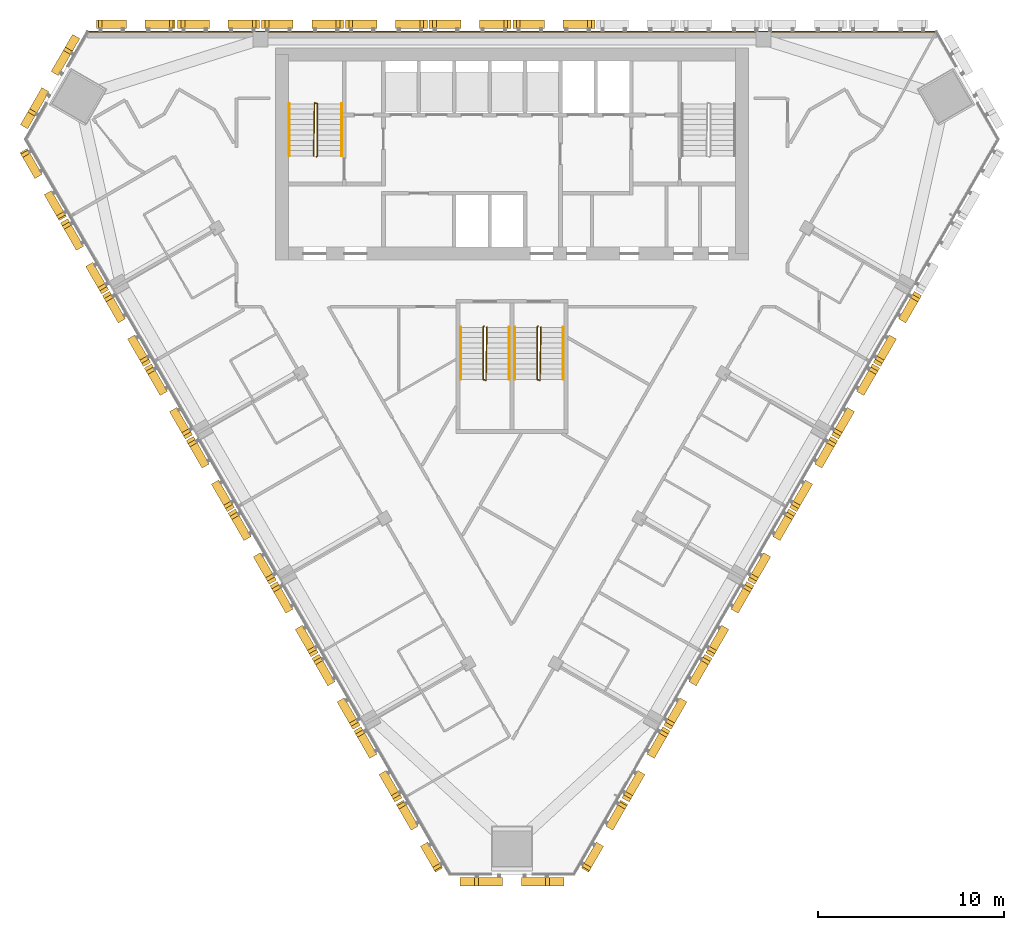
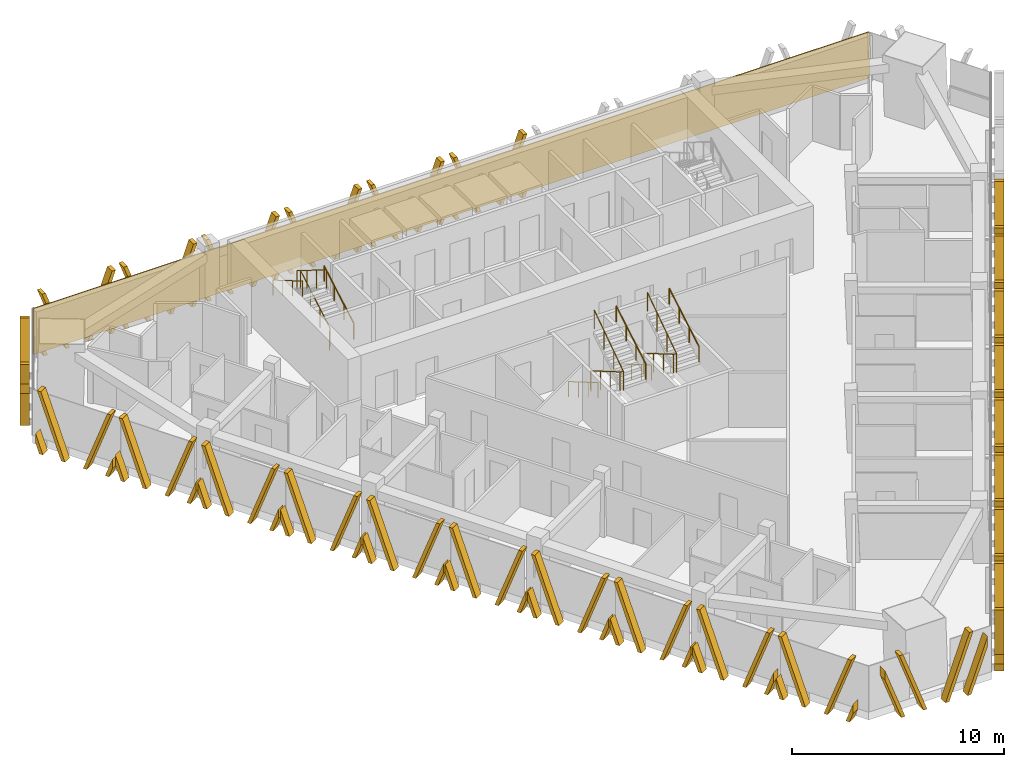
# One storey, part 14 of 16: 26 shading devices, 9 railings, 1 covering.
"""IFC4 building model written with IfcOpenShell, lengths in metres."""

from ifc_helpers import new_model, si_unit, direction, frame, frame_2d, origin, origin_2d, place, context, subcontext, project, spatial, polyline, rectangle, circle, outline, extrude, source, transform, mapped, material, layer, layer_set, type_object, element, save


model = new_model("IFC4")

# Units and contexts
model_context = context("Model", 3, precision=1e-05, world=origin(), true_north=direction((0.0, 1.0)))
body_context = subcontext(model_context, "Body", "Model", "MODEL_VIEW")
ifc_project = project(units=[si_unit("LENGTHUNIT", "METRE"), si_unit("AREAUNIT", "SQUARE_METRE"), si_unit("VOLUMEUNIT", "CUBIC_METRE"), si_unit("PLANEANGLEUNIT", "RADIAN"), si_unit("MASSUNIT", "GRAM", prefix="KILO")], contexts=[model_context])

# Site, building, storey
site_placement = place(None, origin())
site = spatial("IfcSite", under=ifc_project, at=site_placement, CompositionType="ELEMENT")
building_placement = place(site_placement, origin())
building = spatial("IfcBuilding", under=site, at=building_placement, Name="Altiplano Prism Tower", CompositionType="ELEMENT")
storey_placement = place(building_placement, frame((0.0, 0.0, 181.800048828125)))
storey = spatial("IfcBuildingStorey", under=building, at=storey_placement, Name="L47", CompositionType="ELEMENT", Elevation=181.800048828125)

# Railings
ifc_material_1 = material(Name="Steel S355", Category="steel")
railing_type_1 = type_object("IfcRailingType", Name="Stair guard 1100", PredefinedType="GUARDRAIL", material=ifc_material_1)
railing_1_placement = place(storey_placement, frame((74.5, 98.25, 0.0)))
element("IfcRailing", 1, at=railing_1_placement, inside=storey, type_object=railing_type_1, Name="L47 ST1 stair guard 1", PredefinedType="GUARDRAIL", context=body_context, shape_type="SweptSolid", body=[
    extrude(circle(Radius=0.02392578125, at=origin_2d()), frame((0.0, 0.0, 1.076171875), z_axis=(0.280808744504, 0.280808744504, 0.917765164963), x_axis=(-0.707106781187, 0.707106781187, 0.0)), (0.0, 0.0, 1.0), 0.17822265625),
    extrude(circle(Radius=0.02392578125, at=origin_2d()), frame((0.050048828125, 0.050048828125, 1.23974609375), z_axis=(0.0, 0.863360870873, 0.504586966384), x_axis=(-1.0, 0.0, 0.0)), (0.0, 0.0, 1.0), 3.2431640625),
    extrude(circle(Radius=0.02392578125, at=origin_2d()), frame((0.050048828125, 2.85009765625, 2.8759765625), z_axis=(-0.949145278916, 0.314838433982, 0.0), x_axis=(-0.314838433982, -0.949145278916, 0.0)), (0.0, 0.0, 1.0), 0.158203125),
    extrude(circle(Radius=0.02392578125, at=origin_2d()), frame((-0.10009765625, 2.89990234375, 2.8759765625), z_axis=(-0.014774583964, -0.845410385345, 0.533912906773), x_axis=(0.999847325713, -0.01747355902, 0.0)), (0.0, 0.0, 1.0), 3.370849609375),
    extrude(circle(Radius=0.02099609375, at=origin_2d()), origin(), (0.0, 0.0, 1.0), 1.052001953125),
    extrude(circle(Radius=0.02099609375, at=origin_2d()), frame((0.050048828125, 0.050048828125, 0.16357421875)), (0.0, 0.0, 1.0), 1.052001953125),
    extrude(circle(Radius=0.02099609375, at=origin_2d()), frame((0.050048828125, 0.9833984375, 0.708984375)), (0.0, 0.0, 1.0), 1.052001953125),
    extrude(circle(Radius=0.02099609375, at=origin_2d()), frame((0.050048828125, 1.916748046875, 1.254638671875)), (0.0, 0.0, 1.0), 1.052001953125),
    extrude(circle(Radius=0.02099609375, at=origin_2d()), frame((0.050048828125, 2.85009765625, 1.800048828125)), (0.0, 0.0, 1.0), 1.052001953125),
    extrude(circle(Radius=0.02099609375, at=origin_2d()), frame((-0.10009765625, 2.89990234375, 1.800048828125)), (0.0, 0.0, 1.0), 1.052001953125),
    extrude(circle(Radius=0.02099609375, at=origin_2d()), frame((-0.11669921875, 1.949951171875, 2.39990234375)), (0.0, 0.0, 1.0), 1.052001953125),
    extrude(circle(Radius=0.02099609375, at=origin_2d()), frame((-0.13330078125, 1.0, 3.0)), (0.0, 0.0, 1.0), 1.052001953125),
    extrude(circle(Radius=0.02099609375, at=origin_2d()), frame((-0.14990234375, 0.050048828125, 3.599853515625)), (0.0, 0.0, 1.0), 1.052001953125),
])
railing_2_placement = place(storey_placement, frame((83.5, 89.14990234375, 0.0)))
element("IfcRailing", 2, at=railing_2_placement, inside=storey, type_object=railing_type_1, Name="L47 ST3A stair guard 1", PredefinedType="GUARDRAIL", context=body_context, shape_type="SweptSolid", body=[
    extrude(circle(Radius=0.02392578125, at=origin_2d()), frame((0.0, 0.0, 1.076171875), z_axis=(-0.280916556609, -0.279546231943, 0.91811752648), x_axis=(0.705375805398, -0.708833529934, 0.0)), (0.0, 0.0, 1.0), 0.17822265625),
    extrude(circle(Radius=0.02392578125, at=origin_2d()), frame((-0.050048828125, -0.0498046875, 1.23974609375), z_axis=(0.0, -0.863360870873, 0.504586966384), x_axis=(1.0, 0.0, 0.0)), (0.0, 0.0, 1.0), 3.2431640625),
    extrude(circle(Radius=0.02392578125, at=origin_2d()), frame((-0.050048828125, -2.849853515625, 2.8759765625), z_axis=(0.948683298051, -0.316227766017, 0.0), x_axis=(0.316227766017, 0.948683298051, 0.0)), (0.0, 0.0, 1.0), 0.158203125),
    extrude(circle(Radius=0.02392578125, at=origin_2d()), frame((0.10009765625, -2.89990234375, 2.8759765625), z_axis=(0.014773679385, 0.845431044782, 0.53388021776), x_axis=(-0.999847351862, 0.017472062685, 0.0)), (0.0, 0.0, 1.0), 3.37109375),
    extrude(circle(Radius=0.02099609375, at=origin_2d()), origin(), (0.0, 0.0, 1.0), 1.052001953125),
    extrude(circle(Radius=0.02099609375, at=origin_2d()), frame((-0.050048828125, -0.0498046875, 0.16357421875)), (0.0, 0.0, 1.0), 1.052001953125),
    extrude(circle(Radius=0.02099609375, at=origin_2d()), frame((-0.050048828125, -0.983154296875, 0.708984375)), (0.0, 0.0, 1.0), 1.052001953125),
    extrude(circle(Radius=0.02099609375, at=origin_2d()), frame((-0.050048828125, -1.91650390625, 1.254638671875)), (0.0, 0.0, 1.0), 1.052001953125),
    extrude(circle(Radius=0.02099609375, at=origin_2d()), frame((-0.050048828125, -2.849853515625, 1.800048828125)), (0.0, 0.0, 1.0), 1.052001953125),
    extrude(circle(Radius=0.02099609375, at=origin_2d()), frame((0.10009765625, -2.89990234375, 1.800048828125)), (0.0, 0.0, 1.0), 1.052001953125),
    extrude(circle(Radius=0.02099609375, at=origin_2d()), frame((0.11669921875, -1.949951171875, 2.39990234375)), (0.0, 0.0, 1.0), 1.052001953125),
    extrude(circle(Radius=0.02099609375, at=origin_2d()), frame((0.13330078125, -0.999755859375, 3.0)), (0.0, 0.0, 1.0), 1.052001953125),
    extrude(circle(Radius=0.02099609375, at=origin_2d()), frame((0.14990234375, -0.0498046875, 3.599853515625)), (0.0, 0.0, 1.0), 1.052001953125),
])
railing_3_placement = place(storey_placement, frame((86.39990234375, 89.14990234375, 0.0)))
element("IfcRailing", 3, at=railing_3_placement, inside=storey, type_object=railing_type_1, Name="L47 ST3B stair guard 1", PredefinedType="GUARDRAIL", context=body_context, shape_type="SweptSolid", body=[
    extrude(circle(Radius=0.02392578125, at=origin_2d()), frame((0.0, 0.0, 1.076171875), z_axis=(-0.279653641804, -0.279653641804, 0.918470294159), x_axis=(0.707106781187, -0.707106781187, 0.0)), (0.0, 0.0, 1.0), 0.177978515625),
    extrude(circle(Radius=0.02392578125, at=origin_2d()), frame((-0.0498046875, -0.0498046875, 1.23974609375), z_axis=(0.0, -0.863360870873, 0.504586966384), x_axis=(1.0, 0.0, 0.0)), (0.0, 0.0, 1.0), 3.2431640625),
    extrude(circle(Radius=0.02392578125, at=origin_2d()), frame((-0.0498046875, -2.849853515625, 2.8759765625), z_axis=(0.948528701346, -0.316691178788, 0.0), x_axis=(0.316691178788, 0.948528701346, 0.0)), (0.0, 0.0, 1.0), 0.157958984375),
    extrude(circle(Radius=0.02392578125, at=origin_2d()), frame((0.10009765625, -2.89990234375, 2.8759765625), z_axis=(0.014846083459, 0.845430138032, 0.533879645158), x_axis=(-0.999845851991, 0.017557683712, 0.0)), (0.0, 0.0, 1.0), 3.37109375),
    extrude(circle(Radius=0.02099609375, at=origin_2d()), origin(), (0.0, 0.0, 1.0), 1.052001953125),
    extrude(circle(Radius=0.02099609375, at=origin_2d()), frame((-0.0498046875, -0.0498046875, 0.16357421875)), (0.0, 0.0, 1.0), 1.052001953125),
    extrude(circle(Radius=0.02099609375, at=origin_2d()), frame((-0.0498046875, -0.983154296875, 0.708984375)), (0.0, 0.0, 1.0), 1.052001953125),
    extrude(circle(Radius=0.02099609375, at=origin_2d()), frame((-0.0498046875, -1.91650390625, 1.254638671875)), (0.0, 0.0, 1.0), 1.052001953125),
    extrude(circle(Radius=0.02099609375, at=origin_2d()), frame((-0.0498046875, -2.849853515625, 1.800048828125)), (0.0, 0.0, 1.0), 1.052001953125),
    extrude(circle(Radius=0.02099609375, at=origin_2d()), frame((0.10009765625, -2.89990234375, 1.800048828125)), (0.0, 0.0, 1.0), 1.052001953125),
    extrude(circle(Radius=0.02099609375, at=origin_2d()), frame((0.11669921875, -1.949951171875, 2.39990234375)), (0.0, 0.0, 1.0), 1.052001953125),
    extrude(circle(Radius=0.02099609375, at=origin_2d()), frame((0.133544921875, -0.999755859375, 3.0)), (0.0, 0.0, 1.0), 1.052001953125),
    extrude(circle(Radius=0.02099609375, at=origin_2d()), frame((0.150146484375, -0.0498046875, 3.599853515625)), (0.0, 0.0, 1.0), 1.052001953125),
])
railing_type_2 = type_object("IfcRailingType", Name="Stair handrail 900", PredefinedType="HANDRAIL", material=ifc_material_1)
railing_4_placement = place(storey_placement, frame((75.85009765625, 98.300048828125, 0.16357421875)))
element("IfcRailing", 4, at=railing_4_placement, inside=storey, type_object=railing_type_2, Name="L47 ST1 stair handrail 1", PredefinedType="HANDRAIL", context=body_context, shape_type="SweptSolid", body=[
    extrude(circle(Radius=0.02392578125, at=origin_2d()), frame((0.0, 0.0, 0.8759765625), z_axis=(0.0, 0.863360870873, 0.504586966384), x_axis=(-1.0, 0.0, 0.0)), (0.0, 0.0, 1.0), 3.2431640625),
    extrude(circle(Radius=0.02099609375, at=origin_2d()), origin(), (0.0, 0.0, 1.0), 0.851806640625),
    extrude(circle(Radius=0.02099609375, at=origin_2d()), frame((0.0, 0.933349609375, 0.54541015625)), (0.0, 0.0, 1.0), 0.851806640625),
    extrude(circle(Radius=0.02099609375, at=origin_2d()), frame((0.0, 1.86669921875, 1.091064453125)), (0.0, 0.0, 1.0), 0.851806640625),
    extrude(circle(Radius=0.02099609375, at=origin_2d()), frame((0.0, 2.800048828125, 1.636474609375)), (0.0, 0.0, 1.0), 0.851806640625),
])
railing_5_placement = place(storey_placement, frame((73.050048828125, 101.10009765625, 1.963623046875)))
element("IfcRailing", 5, at=railing_5_placement, inside=storey, type_object=railing_type_2, Name="L47 ST1 stair handrail 2", PredefinedType="HANDRAIL", context=body_context, shape_type="SweptSolid", body=[
    extrude(circle(Radius=0.02392578125, at=origin_2d()), frame((0.0, 0.0, 0.8759765625), z_axis=(0.0, -0.863393664356, 0.504530851732), x_axis=(1.0, 0.0, 0.0)), (0.0, 0.0, 1.0), 3.2431640625),
    extrude(circle(Radius=0.02099609375, at=origin_2d()), origin(), (0.0, 0.0, 1.0), 0.851806640625),
    extrude(circle(Radius=0.02099609375, at=origin_2d()), frame((0.0, -0.933349609375, 0.54541015625)), (0.0, 0.0, 1.0), 0.851806640625),
    extrude(circle(Radius=0.02099609375, at=origin_2d()), frame((0.0, -1.86669921875, 1.0908203125)), (0.0, 0.0, 1.0), 0.851806640625),
    extrude(circle(Radius=0.02099609375, at=origin_2d()), frame((0.0, -2.800048828125, 1.63623046875)), (0.0, 0.0, 1.0), 0.851806640625),
])
railing_6_placement = place(storey_placement, frame((82.25, 89.10009765625, 0.16357421875)))
element("IfcRailing", 6, at=railing_6_placement, inside=storey, type_object=railing_type_2, Name="L47 ST3A stair handrail 1", PredefinedType="HANDRAIL", context=body_context, shape_type="SweptSolid", body=[
    extrude(circle(Radius=0.02392578125, at=origin_2d()), frame((0.0, 0.0, 0.8759765625), z_axis=(0.0, -0.863360870873, 0.504586966384), x_axis=(1.0, 0.0, 0.0)), (0.0, 0.0, 1.0), 3.2431640625),
    extrude(circle(Radius=0.02099609375, at=origin_2d()), origin(), (0.0, 0.0, 1.0), 0.851806640625),
    extrude(circle(Radius=0.02099609375, at=origin_2d()), frame((0.0, -0.933349609375, 0.54541015625)), (0.0, 0.0, 1.0), 0.851806640625),
    extrude(circle(Radius=0.02099609375, at=origin_2d()), frame((0.0, -1.86669921875, 1.091064453125)), (0.0, 0.0, 1.0), 0.851806640625),
    extrude(circle(Radius=0.02099609375, at=origin_2d()), frame((0.0, -2.800048828125, 1.636474609375)), (0.0, 0.0, 1.0), 0.851806640625),
])
railing_7_placement = place(storey_placement, frame((84.85009765625, 86.300048828125, 1.963623046875)))
element("IfcRailing", 7, at=railing_7_placement, inside=storey, type_object=railing_type_2, Name="L47 ST3A stair handrail 2", PredefinedType="HANDRAIL", context=body_context, shape_type="SweptSolid", body=[
    extrude(circle(Radius=0.02392578125, at=origin_2d()), frame((0.0, 0.0, 0.8759765625), z_axis=(0.0, 0.863393664356, 0.504530851732), x_axis=(-1.0, 0.0, 0.0)), (0.0, 0.0, 1.0), 3.2431640625),
    extrude(circle(Radius=0.02099609375, at=origin_2d()), origin(), (0.0, 0.0, 1.0), 0.851806640625),
    extrude(circle(Radius=0.02099609375, at=origin_2d()), frame((0.0, 0.933349609375, 0.54541015625)), (0.0, 0.0, 1.0), 0.851806640625),
    extrude(circle(Radius=0.02099609375, at=origin_2d()), frame((0.0, 1.86669921875, 1.0908203125)), (0.0, 0.0, 1.0), 0.851806640625),
    extrude(circle(Radius=0.02099609375, at=origin_2d()), frame((0.0, 2.800048828125, 1.63623046875)), (0.0, 0.0, 1.0), 0.851806640625),
])
railing_8_placement = place(storey_placement, frame((85.14990234375, 89.10009765625, 0.16357421875)))
element("IfcRailing", 8, at=railing_8_placement, inside=storey, type_object=railing_type_2, Name="L47 ST3B stair handrail 1", PredefinedType="HANDRAIL", context=body_context, shape_type="SweptSolid", body=[
    extrude(circle(Radius=0.02392578125, at=origin_2d()), frame((0.0, 0.0, 0.8759765625), z_axis=(0.0, -0.863360870873, 0.504586966384), x_axis=(1.0, 0.0, 0.0)), (0.0, 0.0, 1.0), 3.2431640625),
    extrude(circle(Radius=0.02099609375, at=origin_2d()), origin(), (0.0, 0.0, 1.0), 0.851806640625),
    extrude(circle(Radius=0.02099609375, at=origin_2d()), frame((0.0, -0.933349609375, 0.54541015625)), (0.0, 0.0, 1.0), 0.851806640625),
    extrude(circle(Radius=0.02099609375, at=origin_2d()), frame((0.0, -1.86669921875, 1.091064453125)), (0.0, 0.0, 1.0), 0.851806640625),
    extrude(circle(Radius=0.02099609375, at=origin_2d()), frame((0.0, -2.800048828125, 1.636474609375)), (0.0, 0.0, 1.0), 0.851806640625),
])
railing_9_placement = place(storey_placement, frame((87.75, 86.300048828125, 1.963623046875)))
element("IfcRailing", 9, at=railing_9_placement, inside=storey, type_object=railing_type_2, Name="L47 ST3B stair handrail 2", PredefinedType="HANDRAIL", context=body_context, shape_type="SweptSolid", body=[
    extrude(circle(Radius=0.02392578125, at=origin_2d()), frame((0.0, 0.0, 0.8759765625), z_axis=(0.0, 0.863393664356, 0.504530851732), x_axis=(-1.0, 0.0, 0.0)), (0.0, 0.0, 1.0), 3.2431640625),
    extrude(circle(Radius=0.02099609375, at=origin_2d()), origin(), (0.0, 0.0, 1.0), 0.851806640625),
    extrude(circle(Radius=0.02099609375, at=origin_2d()), frame((0.0, 0.933349609375, 0.54541015625)), (0.0, 0.0, 1.0), 0.851806640625),
    extrude(circle(Radius=0.02099609375, at=origin_2d()), frame((0.0, 1.86669921875, 1.0908203125)), (0.0, 0.0, 1.0), 0.851806640625),
    extrude(circle(Radius=0.02099609375, at=origin_2d()), frame((0.0, 2.800048828125, 1.63623046875)), (0.0, 0.0, 1.0), 0.851806640625),
])

# Covering
ifc_material_2 = material(Name="Warm limestone cast stone", Category="masonry")
ifc_layer = layer(ifc_material_2, 0.06005859375)
ifc_layer_set = layer_set([ifc_layer], Name="Warm limestone cast stone")
covering_type = type_object("IfcCoveringType", Name="Stone cladding 60", PredefinedType="CLADDING", material=ifc_layer_set)
covering_placement = place(storey_placement, frame((62.1962890625, 104.969970703125, 0.0), z_axis=(0.0, 0.0, 1.0), x_axis=(1.0, 0.0, 0.0)))
element("IfcCovering", 10, at=covering_placement, inside=storey, type_object=covering_type, Name="Stone cladding north face L47", PredefinedType="CLADDING", context=body_context, shape_type="SweptSolid", body=[
    extrude(rectangle(XDim=45.607421875, YDim=0.06005859375, at=frame_2d((22.8037109375, 0.0))), origin(), (0.0, 0.0, 1.0), 2.64990234375),
])

# Shading devices
shading_device_type_1 = type_object("IfcShadingDeviceType", Name="Stone fin panel, standard unit", PredefinedType="USERDEFINED", material=ifc_material_2)
shared_shape_1 = source(origin(), body_context, "Body", "SweptSolid", [
    extrude(outline(polyline([(-2.199951171875, 1.373779296875), (-2.199951171875, 0.82421875), (-1.89990234375, 0.0), (-1.699951171875, 0.0), (-2.199951171875, 1.373779296875)])), frame((0.0, -0.14990234375, 0.0), z_axis=(0.0, -1.0, 0.0), x_axis=(1.0, 0.0, 0.0)), (0.0, 0.0, 1.0), 0.4501953125),
    extrude(outline(polyline([(-2.01025390625, 3.60009765625), (-0.699951171875, 0.0), (-0.5, 0.0), (-1.810302734375, 3.60009765625), (-2.01025390625, 3.60009765625)])), frame((0.0, -0.14990234375, 0.0), z_axis=(0.0, -1.0, 0.0), x_axis=(1.0, 0.0, 0.0)), (0.0, 0.0, 1.0), 0.4501953125),
    extrude(outline(polyline([(1.810302734375, 3.60009765625), (0.5, 0.0), (0.699951171875, 0.0), (2.01025390625, 3.60009765625), (1.810302734375, 3.60009765625)])), frame((0.0, -0.14990234375, 0.0), z_axis=(0.0, -1.0, 0.0), x_axis=(1.0, 0.0, 0.0)), (0.0, 0.0, 1.0), 0.4501953125),
    extrude(outline(polyline([(2.199951171875, 0.82421875), (2.199951171875, 1.373779296875), (1.699951171875, 0.0), (1.89990234375, 0.0), (2.199951171875, 0.82421875)])), frame((0.0, -0.14990234375, 0.0), z_axis=(0.0, -1.0, 0.0), x_axis=(1.0, 0.0, 0.0)), (0.0, 0.0, 1.0), 0.4501953125),
])
shading_device_1_placement = place(storey_placement, origin())
element("IfcShadingDevice", 11, at=shading_device_1_placement, inside=storey, type_object=shading_device_type_1, Name="Fin L47 north face 5", ObjectType="FIN", PredefinedType="USERDEFINED", context=body_context, shape_type="MappedRepresentation", body=[
    mapped(shared_shape_1, transform((87.25, 105.0, -0.449951171875), x_axis=(-1.0, 0.0, 0.0), y_axis=(0.0, -1.0, 0.0), z_axis=(0.0, 0.0, 1.0))),
])
shading_device_2_placement = place(storey_placement, origin())
element("IfcShadingDevice", 12, at=shading_device_2_placement, inside=storey, type_object=shading_device_type_1, Name="Fin L47 north face 6", ObjectType="FIN", PredefinedType="USERDEFINED", context=body_context, shape_type="MappedRepresentation", body=[
    mapped(shared_shape_1, transform((82.75, 105.0, -0.449951171875), x_axis=(-1.0, 0.0, 0.0), y_axis=(0.0, -1.0, 0.0), z_axis=(0.0, 0.0, 1.0))),
])
shading_device_3_placement = place(storey_placement, origin())
element("IfcShadingDevice", 13, at=shading_device_3_placement, inside=storey, type_object=shading_device_type_1, Name="Fin L47 north face 7", ObjectType="FIN", PredefinedType="USERDEFINED", context=body_context, shape_type="MappedRepresentation", body=[
    mapped(shared_shape_1, transform((78.25, 105.0, -0.449951171875), x_axis=(-1.0, 0.0, 0.0), y_axis=(0.0, -1.0, 0.0), z_axis=(0.0, 0.0, 1.0))),
])
shading_device_4_placement = place(storey_placement, origin())
element("IfcShadingDevice", 14, at=shading_device_4_placement, inside=storey, type_object=shading_device_type_1, Name="Fin L47 north face 8", ObjectType="FIN", PredefinedType="USERDEFINED", context=body_context, shape_type="MappedRepresentation", body=[
    mapped(shared_shape_1, transform((73.75, 105.0, -0.449951171875), x_axis=(-1.0, 0.0, 0.0), y_axis=(0.0, -1.0, 0.0), z_axis=(0.0, 0.0, 1.0))),
])
shading_device_5_placement = place(storey_placement, origin())
element("IfcShadingDevice", 15, at=shading_device_5_placement, inside=storey, type_object=shading_device_type_1, Name="Fin L47 north face 9", ObjectType="FIN", PredefinedType="USERDEFINED", context=body_context, shape_type="MappedRepresentation", body=[
    mapped(shared_shape_1, transform((69.25, 105.0, -0.449951171875), x_axis=(-1.0, 0.0, 0.0), y_axis=(0.0, -1.0, 0.0), z_axis=(0.0, 0.0, 1.0))),
])
shading_device_6_placement = place(storey_placement, origin())
element("IfcShadingDevice", 16, at=shading_device_6_placement, inside=storey, type_object=shading_device_type_1, Name="Fin L47 south-west face 2", ObjectType="FIN", PredefinedType="USERDEFINED", context=body_context, shape_type="MappedRepresentation", body=[
    mapped(shared_shape_1, transform((62.3779296875, 93.097412109375, -0.449951171875), x_axis=(0.499999990992, -0.866025408985, 0.0), y_axis=(0.866025408985, 0.499999990992, 0.0), z_axis=(0.0, 0.0, 1.0))),
])
shading_device_7_placement = place(storey_placement, origin())
element("IfcShadingDevice", 17, at=shading_device_7_placement, inside=storey, type_object=shading_device_type_1, Name="Fin L47 south-west face 3", ObjectType="FIN", PredefinedType="USERDEFINED", context=body_context, shape_type="MappedRepresentation", body=[
    mapped(shared_shape_1, transform((64.6279296875, 89.2001953125, -0.449951171875), x_axis=(0.499999990992, -0.866025408985, 0.0), y_axis=(0.866025408985, 0.499999990992, 0.0), z_axis=(0.0, 0.0, 1.0))),
])
shading_device_8_placement = place(storey_placement, origin())
element("IfcShadingDevice", 18, at=shading_device_8_placement, inside=storey, type_object=shading_device_type_1, Name="Fin L47 south-west face 4", ObjectType="FIN", PredefinedType="USERDEFINED", context=body_context, shape_type="MappedRepresentation", body=[
    mapped(shared_shape_1, transform((66.8779296875, 85.30322265625, -0.449951171875), x_axis=(0.499999990992, -0.866025408985, 0.0), y_axis=(0.866025408985, 0.499999990992, 0.0), z_axis=(0.0, 0.0, 1.0))),
])
shading_device_9_placement = place(storey_placement, origin())
element("IfcShadingDevice", 19, at=shading_device_9_placement, inside=storey, type_object=shading_device_type_1, Name="Fin L47 south-west face 5", ObjectType="FIN", PredefinedType="USERDEFINED", context=body_context, shape_type="MappedRepresentation", body=[
    mapped(shared_shape_1, transform((69.1279296875, 81.406005859375, -0.449951171875), x_axis=(0.499999990992, -0.866025408985, 0.0), y_axis=(0.866025408985, 0.499999990992, 0.0), z_axis=(0.0, 0.0, 1.0))),
])
shading_device_10_placement = place(storey_placement, origin())
element("IfcShadingDevice", 20, at=shading_device_10_placement, inside=storey, type_object=shading_device_type_1, Name="Fin L47 south-west face 6", ObjectType="FIN", PredefinedType="USERDEFINED", context=body_context, shape_type="MappedRepresentation", body=[
    mapped(shared_shape_1, transform((71.3779296875, 77.509033203125, -0.449951171875), x_axis=(0.499999990992, -0.866025408985, 0.0), y_axis=(0.866025408985, 0.499999990992, 0.0), z_axis=(0.0, 0.0, 1.0))),
])
shading_device_11_placement = place(storey_placement, origin())
element("IfcShadingDevice", 21, at=shading_device_11_placement, inside=storey, type_object=shading_device_type_1, Name="Fin L47 south-west face 7", ObjectType="FIN", PredefinedType="USERDEFINED", context=body_context, shape_type="MappedRepresentation", body=[
    mapped(shared_shape_1, transform((73.6279296875, 73.61181640625, -0.449951171875), x_axis=(0.499999990992, -0.866025408985, 0.0), y_axis=(0.866025408985, 0.499999990992, 0.0), z_axis=(0.0, 0.0, 1.0))),
])
shading_device_12_placement = place(storey_placement, origin())
element("IfcShadingDevice", 22, at=shading_device_12_placement, inside=storey, type_object=shading_device_type_1, Name="Fin L47 south-west face 8", ObjectType="FIN", PredefinedType="USERDEFINED", context=body_context, shape_type="MappedRepresentation", body=[
    mapped(shared_shape_1, transform((75.8779296875, 69.714599609375, -0.449951171875), x_axis=(0.499999990992, -0.866025408985, 0.0), y_axis=(0.866025408985, 0.499999990992, 0.0), z_axis=(0.0, 0.0, 1.0))),
])
shading_device_13_placement = place(storey_placement, origin())
element("IfcShadingDevice", 23, at=shading_device_13_placement, inside=storey, type_object=shading_device_type_1, Name="Fin L47 south-west face 9", ObjectType="FIN", PredefinedType="USERDEFINED", context=body_context, shape_type="MappedRepresentation", body=[
    mapped(shared_shape_1, transform((78.1279296875, 65.817626953125, -0.449951171875), x_axis=(0.499999990992, -0.866025408985, 0.0), y_axis=(0.866025408985, 0.499999990992, 0.0), z_axis=(0.0, 0.0, 1.0))),
])
shading_device_14_placement = place(storey_placement, origin())
element("IfcShadingDevice", 24, at=shading_device_14_placement, inside=storey, type_object=shading_device_type_1, Name="Fin L47 south-east face 2", ObjectType="FIN", PredefinedType="USERDEFINED", context=body_context, shape_type="MappedRepresentation", body=[
    mapped(shared_shape_1, transform((91.8720703125, 65.817626953125, -0.449951171875), x_axis=(0.499999990992, 0.866025408985, 0.0), y_axis=(-0.866025408985, 0.499999990992, 0.0), z_axis=(0.0, 0.0, 1.0))),
])
shading_device_15_placement = place(storey_placement, origin())
element("IfcShadingDevice", 25, at=shading_device_15_placement, inside=storey, type_object=shading_device_type_1, Name="Fin L47 south-east face 3", ObjectType="FIN", PredefinedType="USERDEFINED", context=body_context, shape_type="MappedRepresentation", body=[
    mapped(shared_shape_1, transform((94.1220703125, 69.714599609375, -0.449951171875), x_axis=(0.499999990992, 0.866025408985, 0.0), y_axis=(-0.866025408985, 0.499999990992, 0.0), z_axis=(0.0, 0.0, 1.0))),
])
shading_device_16_placement = place(storey_placement, origin())
element("IfcShadingDevice", 26, at=shading_device_16_placement, inside=storey, type_object=shading_device_type_1, Name="Fin L47 south-east face 4", ObjectType="FIN", PredefinedType="USERDEFINED", context=body_context, shape_type="MappedRepresentation", body=[
    mapped(shared_shape_1, transform((96.3720703125, 73.61181640625, -0.449951171875), x_axis=(0.499999990992, 0.866025408985, 0.0), y_axis=(-0.866025408985, 0.499999990992, 0.0), z_axis=(0.0, 0.0, 1.0))),
])
shading_device_17_placement = place(storey_placement, origin())
element("IfcShadingDevice", 27, at=shading_device_17_placement, inside=storey, type_object=shading_device_type_1, Name="Fin L47 south-east face 5", ObjectType="FIN", PredefinedType="USERDEFINED", context=body_context, shape_type="MappedRepresentation", body=[
    mapped(shared_shape_1, transform((98.6220703125, 77.509033203125, -0.449951171875), x_axis=(0.499999990992, 0.866025408985, 0.0), y_axis=(-0.866025408985, 0.499999990992, 0.0), z_axis=(0.0, 0.0, 1.0))),
])
shading_device_18_placement = place(storey_placement, origin())
element("IfcShadingDevice", 28, at=shading_device_18_placement, inside=storey, type_object=shading_device_type_1, Name="Fin L47 south-east face 6", ObjectType="FIN", PredefinedType="USERDEFINED", context=body_context, shape_type="MappedRepresentation", body=[
    mapped(shared_shape_1, transform((100.8720703125, 81.406005859375, -0.449951171875), x_axis=(0.499999990992, 0.866025408985, 0.0), y_axis=(-0.866025408985, 0.499999990992, 0.0), z_axis=(0.0, 0.0, 1.0))),
])
shading_device_19_placement = place(storey_placement, origin())
element("IfcShadingDevice", 29, at=shading_device_19_placement, inside=storey, type_object=shading_device_type_1, Name="Fin L47 south-east face 7", ObjectType="FIN", PredefinedType="USERDEFINED", context=body_context, shape_type="MappedRepresentation", body=[
    mapped(shared_shape_1, transform((103.1220703125, 85.30322265625, -0.449951171875), x_axis=(0.499999990992, 0.866025408985, 0.0), y_axis=(-0.866025408985, 0.499999990992, 0.0), z_axis=(0.0, 0.0, 1.0))),
])
shading_device_20_placement = place(storey_placement, origin())
element("IfcShadingDevice", 30, at=shading_device_20_placement, inside=storey, type_object=shading_device_type_1, Name="Fin L47 south-east face 8", ObjectType="FIN", PredefinedType="USERDEFINED", context=body_context, shape_type="MappedRepresentation", body=[
    mapped(shared_shape_1, transform((105.3720703125, 89.2001953125, -0.449951171875), x_axis=(0.499999990992, 0.866025408985, 0.0), y_axis=(-0.866025408985, 0.499999990992, 0.0), z_axis=(0.0, 0.0, 1.0))),
])
shading_device_type_2 = type_object("IfcShadingDeviceType", Name="Stone fin panel, chamfer unit", PredefinedType="USERDEFINED", material=ifc_material_2)
shared_shape_2 = source(origin(), body_context, "Body", "SweptSolid", [
    extrude(outline(polyline([(-2.800048828125, 3.022216796875), (-2.800048828125, 2.47265625), (-1.89990234375, 0.0), (-1.699951171875, 0.0), (-2.800048828125, 3.022216796875)])), frame((0.0, -0.14990234375, 0.0), z_axis=(0.0, -1.0, 0.0), x_axis=(1.0, 0.0, 0.0)), (0.0, 0.0, 1.0), 0.4501953125),
    extrude(outline(polyline([(-2.01025390625, 3.60009765625), (-0.699951171875, 0.0), (-0.5, 0.0), (-1.810302734375, 3.60009765625), (-2.01025390625, 3.60009765625)])), frame((0.0, -0.14990234375, 0.0), z_axis=(0.0, -1.0, 0.0), x_axis=(1.0, 0.0, 0.0)), (0.0, 0.0, 1.0), 0.4501953125),
    extrude(outline(polyline([(1.810302734375, 3.60009765625), (0.5, 0.0), (0.699951171875, 0.0), (2.01025390625, 3.60009765625), (1.810302734375, 3.60009765625)])), frame((0.0, -0.14990234375, 0.0), z_axis=(0.0, -1.0, 0.0), x_axis=(1.0, 0.0, 0.0)), (0.0, 0.0, 1.0), 0.4501953125),
    extrude(outline(polyline([(2.800048828125, 2.47265625), (2.800048828125, 3.022216796875), (1.699951171875, 0.0), (1.89990234375, 0.0), (2.800048828125, 2.47265625)])), frame((0.0, -0.14990234375, 0.0), z_axis=(0.0, -1.0, 0.0), x_axis=(1.0, 0.0, 0.0)), (0.0, 0.0, 1.0), 0.4501953125),
])
shading_device_21_placement = place(storey_placement, origin())
element("IfcShadingDevice", 31, at=shading_device_21_placement, inside=storey, type_object=shading_device_type_2, Name="Fin L47 north-west chamfer 1", ObjectType="FIN", PredefinedType="USERDEFINED", context=body_context, shape_type="MappedRepresentation", body=[
    mapped(shared_shape_2, transform((60.523681640625, 102.10302734375, -0.449951171875), x_axis=(-0.499999911823, -0.866025454693, 0.0), y_axis=(0.866025454693, -0.499999911823, 0.0), z_axis=(0.0, 0.0, 1.0))),
])
shading_device_22_placement = place(storey_placement, origin())
element("IfcShadingDevice", 32, at=shading_device_22_placement, inside=storey, type_object=shading_device_type_2, Name="Fin L47 south chamfer 1", ObjectType="FIN", PredefinedType="USERDEFINED", context=body_context, shape_type="MappedRepresentation", body=[
    mapped(shared_shape_2, transform((85.0, 59.708984375, -0.449951171875), x_axis=(1.0, 0.0, 0.0), y_axis=(0.0, 1.0, 0.0), z_axis=(0.0, 0.0, 1.0))),
])
shading_device_type_3 = type_object("IfcShadingDeviceType", Name="Stone fin panel, wide closing bay", PredefinedType="USERDEFINED", material=ifc_material_2)
shared_shape_3 = source(origin(), body_context, "Body", "SweptSolid", [
    extrude(outline(polyline([(-2.10009765625, 1.09912109375), (-2.10009765625, 0.549560546875), (-1.89990234375, 0.0), (-1.699951171875, 0.0), (-2.10009765625, 1.09912109375)])), frame((0.0, -0.14990234375, 0.0), z_axis=(0.0, -1.0, 0.0), x_axis=(1.0, 0.0, 0.0)), (0.0, 0.0, 1.0), 0.4501953125),
    extrude(outline(polyline([(-2.01025390625, 3.60009765625), (-0.699951171875, 0.0), (-0.5, 0.0), (-1.810302734375, 3.60009765625), (-2.01025390625, 3.60009765625)])), frame((0.0, -0.14990234375, 0.0), z_axis=(0.0, -1.0, 0.0), x_axis=(1.0, 0.0, 0.0)), (0.0, 0.0, 1.0), 0.4501953125),
    extrude(outline(polyline([(1.810302734375, 3.60009765625), (0.5, 0.0), (0.699951171875, 0.0), (2.01025390625, 3.60009765625), (1.810302734375, 3.60009765625)])), frame((0.0, -0.14990234375, 0.0), z_axis=(0.0, -1.0, 0.0), x_axis=(1.0, 0.0, 0.0)), (0.0, 0.0, 1.0), 0.4501953125),
    extrude(outline(polyline([(2.10009765625, 0.549560546875), (2.10009765625, 1.09912109375), (1.699951171875, 0.0), (1.89990234375, 0.0), (2.10009765625, 0.549560546875)])), frame((0.0, -0.14990234375, 0.0), z_axis=(0.0, -1.0, 0.0), x_axis=(1.0, 0.0, 0.0)), (0.0, 0.0, 1.0), 0.4501953125),
])
shading_device_23_placement = place(storey_placement, origin())
element("IfcShadingDevice", 33, at=shading_device_23_placement, inside=storey, type_object=shading_device_type_3, Name="Fin L47 north face 10", ObjectType="FIN", PredefinedType="USERDEFINED", context=body_context, shape_type="MappedRepresentation", body=[
    mapped(shared_shape_3, transform((64.798095703125, 105.0, -0.449951171875), x_axis=(-1.0, 0.0, 0.0), y_axis=(0.0, -1.0, 0.0), z_axis=(0.0, 0.0, 1.0))),
])
shading_device_24_placement = place(storey_placement, origin())
element("IfcShadingDevice", 34, at=shading_device_24_placement, inside=storey, type_object=shading_device_type_3, Name="Fin L47 south-west face 1", ObjectType="FIN", PredefinedType="USERDEFINED", context=body_context, shape_type="MappedRepresentation", body=[
    mapped(shared_shape_3, transform((60.152099609375, 96.952880859375, -0.449951171875), x_axis=(0.499999990992, -0.866025408985, 0.0), y_axis=(0.866025408985, 0.499999990992, 0.0), z_axis=(0.0, 0.0, 1.0))),
])
shading_device_25_placement = place(storey_placement, origin())
element("IfcShadingDevice", 35, at=shading_device_25_placement, inside=storey, type_object=shading_device_type_3, Name="Fin L47 south-west face 10", ObjectType="FIN", PredefinedType="USERDEFINED", context=body_context, shape_type="MappedRepresentation", body=[
    mapped(shared_shape_3, transform((80.35400390625, 61.962158203125, -0.449951171875), x_axis=(0.499999990992, -0.866025408985, 0.0), y_axis=(0.866025408985, 0.499999990992, 0.0), z_axis=(0.0, 0.0, 1.0))),
])
shading_device_26_placement = place(storey_placement, origin())
element("IfcShadingDevice", 36, at=shading_device_26_placement, inside=storey, type_object=shading_device_type_3, Name="Fin L47 south-east face 1", ObjectType="FIN", PredefinedType="USERDEFINED", context=body_context, shape_type="MappedRepresentation", body=[
    mapped(shared_shape_3, transform((89.64599609375, 61.962158203125, -0.449951171875), x_axis=(0.499999990992, 0.866025408985, 0.0), y_axis=(-0.866025408985, 0.499999990992, 0.0), z_axis=(0.0, 0.0, 1.0))),
])

save(model, "model.ifc")
